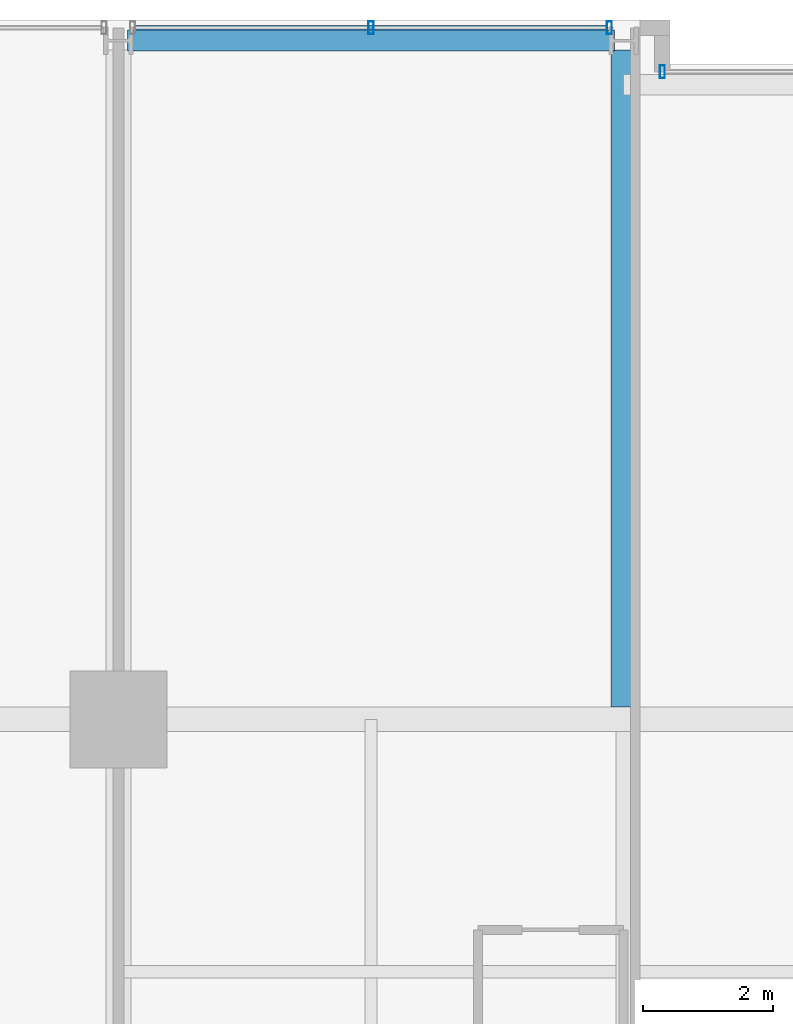
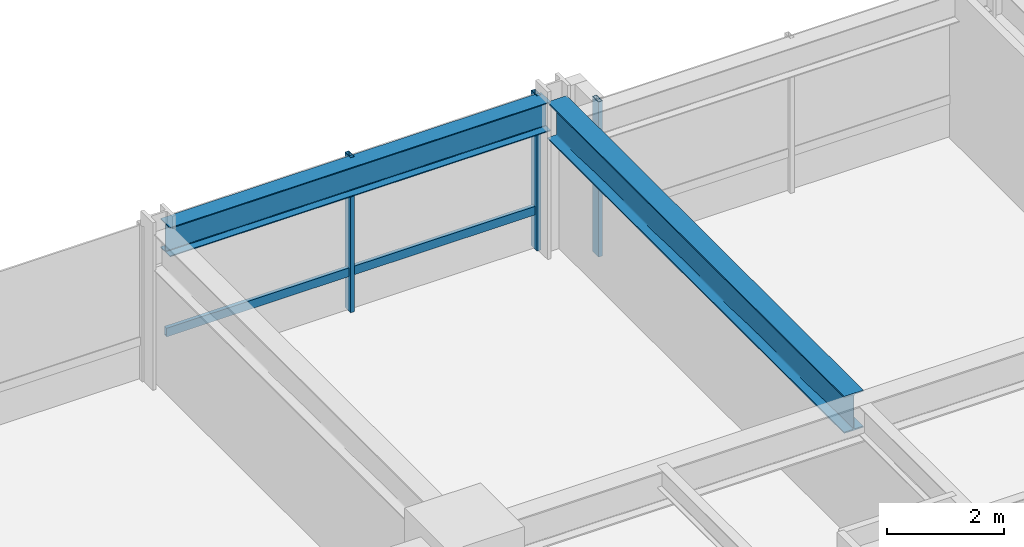
# One storey, part 21 of 34: 4 members, 2 beams, 2 elements without a shape of their own.
"""IFC4 building model written with IfcOpenShell, lengths in metres."""

import ifcopenshell
import ifcopenshell.guid

model = None  # the IFC model being written
_history = None  # IfcOwnerHistory: only IFC2X3 demands one
_inside = {}  # id of a spatial element -> (the spatial element, [elements in it])
_under = {}  # id of a project, library or spatial element -> (it, [spatial elements below it])
_declared = {}  # id of a project -> (the project, [libraries it declares])
_typed = {}  # id of a type object -> (the type object, [elements of that type])
_made_of = {}  # id of a material, layer set ... -> (it, [elements and type objects made of it])


def new_model(schema):
    """Start an empty IFC model of exactly this schema.

    Asked for "IFC4X3", IfcOpenShell would pick the latest addendum, in which some entities
    have other attributes; the version numbers below select the first issue.
    IFC2X3 requires an IfcOwnerHistory on every rooted entity: one is made here for all.
    """
    global model, _history
    if schema == "IFC4X3":
        model = ifcopenshell.file(schema_version=(4, 3, 0, 0))
    else:
        model = ifcopenshell.file(schema=schema)
    _inside.clear()
    _under.clear()
    _declared.clear()
    _typed.clear()
    _made_of.clear()
    _history = None
    if model.schema == "IFC2X3":
        org = make("IfcOrganization", Name="unknown")
        user = make(
            "IfcPersonAndOrganization",
            ThePerson=make("IfcPerson", FamilyName="unknown"),
            TheOrganization=org,
        )
        app = make(
            "IfcApplication",
            ApplicationDeveloper=org,
            Version="unknown",
            ApplicationFullName="unknown",
            ApplicationIdentifier="unknown",
        )
        _history = make(
            "IfcOwnerHistory",
            OwningUser=user,
            OwningApplication=app,
            ChangeAction="ADDED",
            CreationDate=0,
        )
    return model


def make(cls, **values):
    """One entity of the class cls with the attributes given. An attribute that is None is left unset."""
    return model.create_entity(
        cls, **{name: value for name, value in values.items() if value is not None}
    )


def rooted(cls, **values):
    """An entity with a GlobalId (a new one), such as an element, a storey or a relation."""
    return make(cls, GlobalId=ifcopenshell.guid.new(), OwnerHistory=_history, **values)


def si_unit(unit_type, name, prefix=None):
    """IfcSIUnit, for example si_unit("LENGTHUNIT", "METRE", prefix="MILLI")."""
    return make("IfcSIUnit", UnitType=unit_type, Prefix=prefix, Name=name)


def assignment(units):
    """IfcUnitAssignment: the units of a project."""
    return None if units is None else make("IfcUnitAssignment", Units=units)


def point(xyz):
    """IfcCartesianPoint."""
    return None if xyz is None else make("IfcCartesianPoint", Coordinates=xyz)


def direction(xyz):
    """IfcDirection."""
    return None if xyz is None else make("IfcDirection", DirectionRatios=xyz)


def frame(location, z_axis=None, x_axis=None):
    """IfcAxis2Placement3D, a coordinate frame: its origin and axes. An axis left out is left unset."""
    return make(
        "IfcAxis2Placement3D",
        Location=point(location),
        Axis=direction(z_axis),
        RefDirection=direction(x_axis),
    )


def frame_2d(location, x_axis=None):
    """IfcAxis2Placement2D, a coordinate frame in the plane: its origin and x axis."""
    return make(
        "IfcAxis2Placement2D", Location=point(location), RefDirection=direction(x_axis)
    )


def origin():
    """The frame at (0, 0, 0) with its axes left unset."""
    return frame((0.0, 0.0, 0.0))


def origin_2d():
    """The frame at (0, 0) in the plane with its x axis left unset."""
    return frame_2d((0.0, 0.0))


def place(relative_to, where):
    """IfcLocalPlacement: puts the frame where relative to a parent placement (None: the world)."""
    return make(
        "IfcLocalPlacement", PlacementRelTo=relative_to, RelativePlacement=where
    )


def context(
    kind, dimensions, precision=None, world=None, true_north=None, identifier=None
):
    """IfcGeometricRepresentationContext, for example the 3D "Model" context."""
    return make(
        "IfcGeometricRepresentationContext",
        ContextIdentifier=identifier,
        ContextType=kind,
        CoordinateSpaceDimension=dimensions,
        Precision=precision,
        WorldCoordinateSystem=world,
        TrueNorth=true_north,
    )


def subcontext(parent, identifier, kind, view, scale=None):
    """IfcGeometricRepresentationSubContext, for example "Body" below "Model"."""
    return make(
        "IfcGeometricRepresentationSubContext",
        ContextIdentifier=identifier,
        ContextType=kind,
        ParentContext=parent,
        TargetScale=scale,
        TargetView=view,
    )


def project(units=None, contexts=None):
    """IfcProject with its units and contexts."""
    return rooted(
        "IfcProject",
        Name="project",
        RepresentationContexts=contexts,
        UnitsInContext=assignment(units),
    )


def spatial(cls, under=None, at=None, **own):
    """A site, building, storey or space (cls), placed at a placement, below another one or the project."""
    s = rooted(cls, ObjectPlacement=at, **own)
    if under is not None:
        _under.setdefault(under.id(), (under, []))[1].append(s)
    return s


def profile(cls, at=None, kind="AREA", **sizes):
    """A parametric profile (cls). Its sizes go by their IFC names, for example OverallWidth=200.0."""
    return make(cls, ProfileType=kind, Position=at, **sizes)


def hollow_rectangle(**sizes):
    """IfcRectangleHollowProfileDef."""
    return profile("IfcRectangleHollowProfileDef", **sizes)


def i_section(**sizes):
    """IfcIShapeProfileDef."""
    return profile("IfcIShapeProfileDef", **sizes)


def extrude(swept, where, along, depth):
    """IfcExtrudedAreaSolid: the profile swept, set in the frame where, extruded along a direction by depth."""
    return make(
        "IfcExtrudedAreaSolid",
        SweptArea=swept,
        Position=where,
        ExtrudedDirection=direction(along),
        Depth=depth,
    )


def shape(context_of_items, identifier, shape_type, items):
    """IfcShapeRepresentation: the items that make up one representation, for example the "Body"."""
    return make(
        "IfcShapeRepresentation",
        ContextOfItems=context_of_items,
        RepresentationIdentifier=identifier,
        RepresentationType=shape_type,
        Items=items,
    )


def material(Name=None, Category=None):
    """IfcMaterial."""
    return make("IfcMaterial", Name=Name, Category=Category)


def layer(
    of_material, thickness, ventilated=None, Name=None, Category=None, Priority=None
):
    """IfcMaterialLayer: one layer of a wall or slab, of a material (None: an air gap)."""
    return make(
        "IfcMaterialLayer",
        Material=of_material,
        LayerThickness=thickness,
        IsVentilated=ventilated,
        Name=Name,
        Category=Category,
        Priority=Priority,
    )


def layer_set(layers, Name=None):
    """IfcMaterialLayerSet."""
    return make("IfcMaterialLayerSet", MaterialLayers=layers, LayerSetName=Name)


def material_profile(
    of_material, cross_section, Name=None, Category=None, Priority=None
):
    """IfcMaterialProfile: a cross section and its material."""
    return make(
        "IfcMaterialProfile",
        Name=Name,
        Material=of_material,
        Profile=cross_section,
        Priority=Priority,
        Category=Category,
    )


def profile_set(profiles, Name=None, composite=None):
    """IfcMaterialProfileSet."""
    return make(
        "IfcMaterialProfileSet",
        Name=Name,
        MaterialProfiles=profiles,
        CompositeProfile=composite,
    )


def made_of(thing, what):
    """Note that an element or type object is made of a material, layer set ...; save() writes the relation."""
    if what is not None:
        _made_of.setdefault(what.id(), (what, []))[1].append(thing)
    return thing


def type_object(cls, material=None, **own):
    """A type object (cls), such as IfcWallType, which elements share."""
    return made_of(rooted(cls, **own), material)


def element(
    cls,
    number,
    at=None,
    inside=None,
    cuts=None,
    type_object=None,
    material=None,
    context=None,
    identifier="Body",
    shape_type=None,
    held_by="IfcProductDefinitionShape",
    body=None,
    shapes=None,
    **own,
):
    """One element of the class cls, such as IfcWall. Its Tag is "e" and its number.

    at: its placement. inside: the storey or other place that contains it. cuts: it is an
    opening in that element (IfcRelVoidsElement). A single representation is given by context,
    identifier, shape_type and body (its items); several are given by shapes. held_by: the class
    of the entity that holds the representations. save() writes the other relations.
    """
    e = rooted(cls, Tag="e%d" % number, ObjectPlacement=at, **own)
    if body is not None:
        shapes = [shape(context, identifier, shape_type, body)]
    if shapes is not None:
        e.Representation = make(held_by, Representations=shapes)
    if inside is not None:
        _inside.setdefault(inside.id(), (inside, []))[1].append(e)
    if cuts is not None:
        rooted(
            "IfcRelVoidsElement", RelatingBuildingElement=cuts, RelatedOpeningElement=e
        )
    if type_object is not None:
        _typed.setdefault(type_object.id(), (type_object, []))[1].append(e)
    return made_of(e, material)


def aggregate(whole, parts):
    """IfcRelAggregates: a whole, such as a stair, and the parts it consists of."""
    return rooted("IfcRelAggregates", RelatingObject=whole, RelatedObjects=parts)


def save(model, path):
    """Write the relations noted so far, then the file.

    IfcRelAggregates (storeys below a building ...), IfcRelContainedInSpatialStructure (elements
    in a storey), IfcRelDefinesByType, IfcRelAssociatesMaterial and IfcRelDeclares: one each for
    every whole, place, type object, material and project.
    """
    for whole, parts in _under.values():
        aggregate(whole, parts)
    for where, things in _inside.values():
        rooted(
            "IfcRelContainedInSpatialStructure",
            RelatedElements=things,
            RelatingStructure=where,
        )
    for kind, things in _typed.values():
        rooted("IfcRelDefinesByType", RelatedObjects=things, RelatingType=kind)
    for what, things in _made_of.values():
        rooted("IfcRelAssociatesMaterial", RelatedObjects=things, RelatingMaterial=what)
    for by, libraries in _declared.values():
        rooted("IfcRelDeclares", RelatingContext=by, RelatedDefinitions=libraries)
    model.write(path)


model = new_model("IFC4")

# Units and contexts
model_context = context("Model", 3, precision=1e-05, world=origin(), true_north=direction((0.0, 1.0)))
body_context = subcontext(model_context, "Body", "Model", "MODEL_VIEW")
ifc_project = project(units=[si_unit("LENGTHUNIT", "METRE"), si_unit("AREAUNIT", "SQUARE_METRE"), si_unit("VOLUMEUNIT", "CUBIC_METRE"), si_unit("PLANEANGLEUNIT", "RADIAN"), si_unit("MASSUNIT", "GRAM", prefix="KILO")], contexts=[model_context])

# Site, building, storey
site_placement = place(None, origin())
site = spatial("IfcSite", under=ifc_project, at=site_placement, CompositionType="ELEMENT")
building_placement = place(site_placement, origin())
building = spatial("IfcBuilding", under=site, at=building_placement, Name="Drelvath Grand Hotel", CompositionType="ELEMENT")
storey_placement = place(building_placement, frame((0.0, 0.0, 102.300048828125)))
storey = spatial("IfcBuildingStorey", under=building, at=storey_placement, Name="L25", CompositionType="ELEMENT", Elevation=102.300048828125)

# Curtain wall, members
ifc_material_1 = material(Name="Champagne Bronze Anodised Aluminium Frame", Category="aluminium")
ifc_layer = layer(ifc_material_1, 0.199951171875)
ifc_layer_set = layer_set([ifc_layer], Name="Champagne Bronze Anodised Aluminium Frame")
curtain_wall_type = type_object("IfcCurtainWallType", Name="Stick Curtain Wall CW-03 Champagne Bronze Mid-Rise", PredefinedType="NOTDEFINED", material=ifc_layer_set)
curtain_wall_1_placement = place(storey_placement, origin())
curtain_wall_1 = element("IfcCurtainWall", 1, at=curtain_wall_1_placement, inside=storey, type_object=curtain_wall_type, Name="L25 CW-03 Curtain Wall CW03-L25-NW2", PredefinedType="NOTDEFINED")
ifc_material_profile_1 = material_profile(ifc_material_1, hollow_rectangle(XDim=0.074951171875, YDim=0.179931640625, WallThickness=0.0048828125, at=origin_2d()), Name="HSS180X75X5")
ifc_profile_set_1 = profile_set([ifc_material_profile_1], Name="Champagne Bronze Anodised Aluminium Frame")
member_type_1 = type_object("IfcMemberType", Name="Curtain Wall Horizontal Transom CW-03 HSS180X75X5", PredefinedType="USERDEFINED", material=ifc_profile_set_1)
member_1_placement = place(storey_placement, frame((-15.9404296875, 53.8798828125, 0.81005859375), z_axis=(1.0, 0.0, 0.0), x_axis=(0.0, 1.0, 0.0)))
member_1 = element("IfcMember", 2, at=member_1_placement, type_object=member_type_1, Name="CW03-L25-NW2 Sill Transom", ObjectType="TRANSOM", PredefinedType="USERDEFINED", context=body_context, shape_type="SweptSolid", body=[
    extrude(hollow_rectangle(XDim=0.074951171875, YDim=0.179931640625, WallThickness=0.0048828125, at=origin_2d()), origin(), (0.0, 0.0, 1.0), 7.28076171875),
])
ifc_material_profile_2 = material_profile(ifc_material_1, hollow_rectangle(XDim=0.080078125, YDim=0.199951171875, WallThickness=0.0048828125, at=origin_2d()), Name="HSS200X80X5")
ifc_profile_set_2 = profile_set([ifc_material_profile_2], Name="Champagne Bronze Anodised Aluminium Frame")
member_type_2 = type_object("IfcMemberType", Name="Curtain Wall Vertical Mullion CW-03 HSS200X80X5", PredefinedType="MULLION", material=ifc_profile_set_2)
member_2_placement = place(storey_placement, frame((-12.300048828125, 53.8798828125, 0.0), z_axis=(0.0, 0.0, 1.0), x_axis=(1.0, 0.0, 0.0)))
member_2 = element("IfcMember", 3, at=member_2_placement, type_object=member_type_2, Name="CW03-L25-NW2 Mullion 2", PredefinedType="MULLION", context=body_context, shape_type="SweptSolid", body=[
    extrude(hollow_rectangle(XDim=0.080078125, YDim=0.199951171875, WallThickness=0.0048828125, at=origin_2d()), origin(), (0.0, 0.0, 1.0), 3.239990234375),
])
member_3_placement = place(storey_placement, frame((-8.61962890625, 53.8798828125, 0.0), z_axis=(0.0, 0.0, 1.0), x_axis=(1.0, 0.0, 0.0)))
member_3 = element("IfcMember", 4, at=member_3_placement, type_object=member_type_2, Name="CW03-L25-NW2 Mullion 3", PredefinedType="MULLION", context=body_context, shape_type="SweptSolid", body=[
    extrude(hollow_rectangle(XDim=0.080078125, YDim=0.199951171875, WallThickness=0.0048828125, at=origin_2d()), origin(), (0.0, 0.0, 1.0), 3.239990234375),
])
aggregate(curtain_wall_1, [member_2, member_3, member_1])

# Curtain wall, member
curtain_wall_2_placement = place(storey_placement, origin())
curtain_wall_2 = element("IfcCurtainWall", 5, at=curtain_wall_2_placement, inside=storey, type_object=curtain_wall_type, Name="L25 CW-03 Curtain Wall CW03-L25-NM1", PredefinedType="NOTDEFINED")
member_4_placement = place(storey_placement, frame((-7.800048828125, 53.199951171875, 0.0), z_axis=(0.0, 0.0, 1.0), x_axis=(1.0, 0.0, 0.0)))
member_4 = element("IfcMember", 6, at=member_4_placement, type_object=member_type_2, Name="CW03-L25-NM1 Mullion 1", PredefinedType="MULLION", context=body_context, shape_type="SweptSolid", body=[
    extrude(hollow_rectangle(XDim=0.080078125, YDim=0.199951171875, WallThickness=0.0048828125, at=origin_2d()), origin(), (0.0, 0.0, 1.0), 3.239990234375),
])
aggregate(curtain_wall_2, [member_4])

# Beams
ifc_material_2 = material(Name="Steel ASTM A992 Gr 50", Category="steel")
ifc_material_profile_3 = material_profile(ifc_material_2, i_section(OverallWidth=0.323974609375, OverallDepth=0.611083984375, WebThickness=0.0126953125, FlangeThickness=0.01904296875, FilletRadius=0.02197265625, at=origin_2d()), Name="W24X104")
ifc_profile_set_3 = profile_set([ifc_material_profile_3], Name="Steel ASTM A992 Gr 50")
beam_type_1 = type_object("IfcBeamType", Name="Perimeter Spandrel Beam W24X104", PredefinedType="SPANDREL", material=ifc_profile_set_3)
beam_1_placement = place(storey_placement, frame((-16.06005859375, 53.679931640625, 2.9345703125), z_axis=(1.0, 0.0, 0.0), x_axis=(0.0, 1.0, 0.0)))
element("IfcBeam", 7, at=beam_1_placement, inside=storey, type_object=beam_type_1, Name="L25 Spandrel North W", PredefinedType="SPANDREL", context=body_context, shape_type="SweptSolid", body=[
    extrude(i_section(OverallWidth=0.323974609375, OverallDepth=0.611083984375, WebThickness=0.0126953125, FlangeThickness=0.01904296875, FilletRadius=0.02197265625, at=origin_2d()), origin(), (0.0, 0.0, 1.0), 7.52001953125),
])
ifc_material_profile_4 = material_profile(ifc_material_2, i_section(OverallWidth=0.380615234375, OverallDepth=0.773193359375, WebThickness=0.0166015625, FlangeThickness=0.027099609375, FilletRadius=0.02490234375, at=origin_2d()), Name="W30X173")
ifc_profile_set_4 = profile_set([ifc_material_profile_4], Name="Steel ASTM A992 Gr 50")
beam_type_2 = type_object("IfcBeamType", Name="Primary Floor Girder W30X173", PredefinedType="BEAM", material=ifc_profile_set_4)
beam_2_placement = place(storey_placement, frame((-8.39990234375, 43.390380859375, 2.853271484375), z_axis=(0.0, 1.0, 0.0), x_axis=(-1.0, 0.0, 0.0)))
element("IfcBeam", 8, at=beam_2_placement, inside=storey, type_object=beam_type_2, Name="L25 North Wing Girder 4", PredefinedType="BEAM", context=body_context, shape_type="SweptSolid", body=[
    extrude(i_section(OverallWidth=0.380615234375, OverallDepth=0.773193359375, WebThickness=0.0166015625, FlangeThickness=0.027099609375, FilletRadius=0.02490234375, at=origin_2d()), origin(), (0.0, 0.0, 1.0), 10.149658203125),
])

save(model, "model.ifc")
